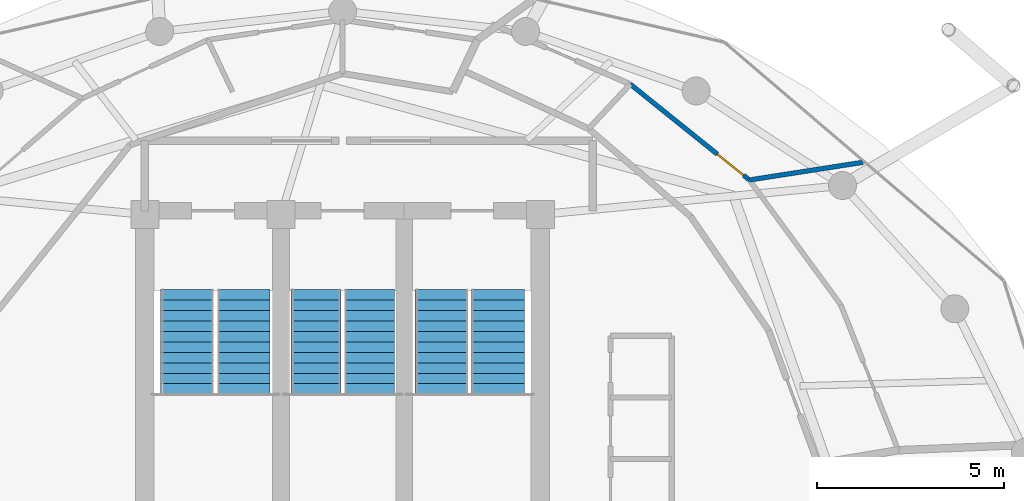
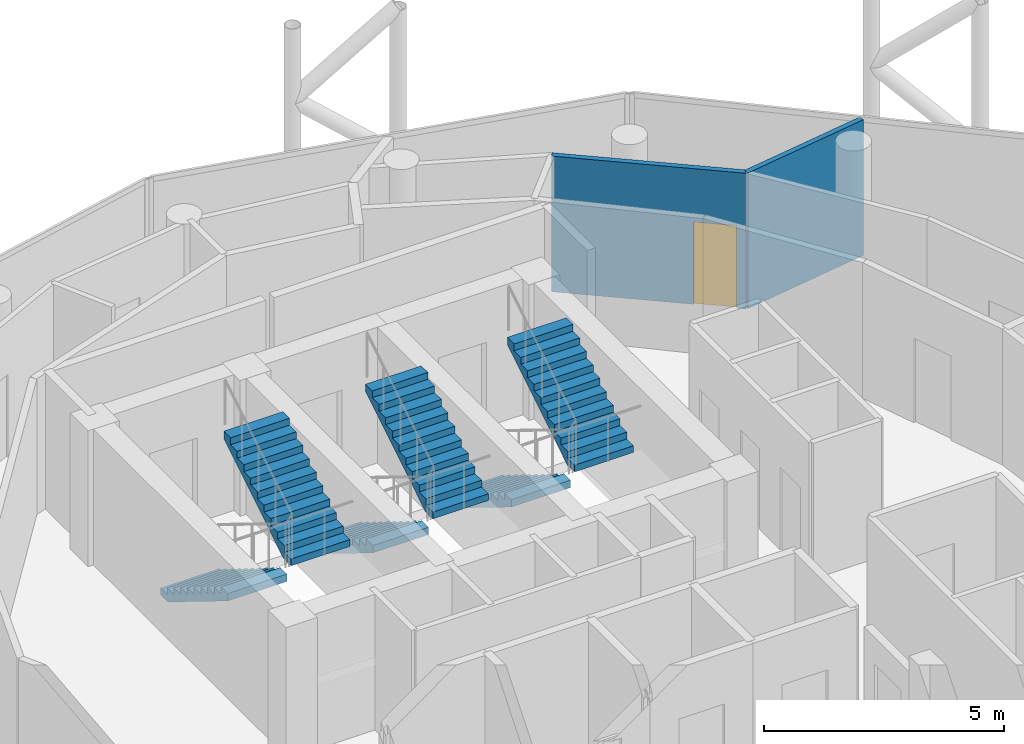
# One storey, part 23 of 24: 6 stair flights, 2 walls, 1 door, 1 opening, 3 elements without a shape of their own.
"""IFC4 building model written with IfcOpenShell, lengths in metres."""

from ifc_helpers import new_model, si_unit, direction, frame, frame_2d, origin, place, context, subcontext, project, spatial, polyline, rectangle, outline, extrude, material, layer, layer_set, type_object, element, fill, aggregate, save


model = new_model("IFC4")

# Units and contexts
model_context = context("Model", 3, precision=1e-05, world=origin(), true_north=direction((0.0, 1.0)))
body_context = subcontext(model_context, "Body", "Model", "MODEL_VIEW")
ifc_project = project(units=[si_unit("LENGTHUNIT", "METRE"), si_unit("AREAUNIT", "SQUARE_METRE"), si_unit("VOLUMEUNIT", "CUBIC_METRE"), si_unit("PLANEANGLEUNIT", "RADIAN"), si_unit("MASSUNIT", "GRAM", prefix="KILO")], contexts=[model_context])

# Site, building, storey
site_placement = place(None, origin())
site = spatial("IfcSite", under=ifc_project, at=site_placement, CompositionType="ELEMENT")
building_placement = place(site_placement, origin())
building = spatial("IfcBuilding", under=site, at=building_placement, Name="Nuhasar Tower", CompositionType="ELEMENT")
storey_placement = place(building_placement, frame((0.0, 0.0, 297.39990234375)))
storey = spatial("IfcBuildingStorey", under=building, at=storey_placement, Name="L74", CompositionType="ELEMENT", Elevation=297.39990234375)

# Wall, opening, door
ifc_material_1 = material(Name="Gypsum Board", Category="gypsum")
ifc_layer = layer(ifc_material_1, 0.125)
ifc_layer_set = layer_set([ifc_layer], Name="Gypsum Board")
wall_type = type_object("IfcWallType", Name="WL-PART-125", PredefinedType="PARTITIONING", material=ifc_layer_set)
wall_1_placement = place(storey_placement, frame((46.7099609375, 40.794921875, 0.0), z_axis=(0.0, 0.0, 1.0), x_axis=(0.779367114883, -0.62656755441, 0.0)))
wall_1 = element("IfcWall", 1, at=wall_1_placement, inside=storey, type_object=wall_type, Name="L74 Interior Partition UMID-04-A-06", PredefinedType="PARTITIONING", context=body_context, shape_type="SweptSolid", body=[
    extrude(rectangle(XDim=4.098388671875, YDim=0.125, at=frame_2d((2.04931640625, 0.0))), origin(), (0.0, 0.0, 1.0), 3.4501953125),
])
opening_placement = place(wall_1_placement, frame((2.998046875, 0.0, 0.0)))
opening = element("IfcOpeningElement", 2, at=opening_placement, cuts=wall_1, Name="Opening DR-01", PredefinedType="OPENING", context=body_context, shape_type="SweptSolid", body=[
    extrude(rectangle(XDim=0.89990234375, YDim=2.10009765625, at=frame_2d((0.449951171875, 1.050048828125))), frame((0.0, 0.072509765625, 0.0), z_axis=(0.0, -1.0, 0.0), x_axis=(1.0, 0.0, 0.0)), (0.0, 0.0, 1.0), 0.14501953125),
])
ifc_material_2 = material(Name="Timber Oak", Category="wood")
door_type = type_object("IfcDoorType", Name="DR-ROOM-900", OperationType="NOTDEFINED", PredefinedType="DOOR", material=ifc_material_2)
door_placement = place(opening_placement, origin())
door = element("IfcDoor", 3, at=door_placement, inside=storey, type_object=door_type, Name="L74 U04 Bedroom Door", OperationType="SINGLE_SWING_RIGHT", OverallHeight=2.10009765625, OverallWidth=0.89990234375, PredefinedType="DOOR", context=body_context, shape_type="SweptSolid", body=[
    extrude(rectangle(XDim=0.89990234375, YDim=2.10009765625, at=frame_2d((0.449951171875, 1.050048828125))), frame((0.0, 0.02490234375, 0.0), z_axis=(0.0, -1.0, 0.0), x_axis=(1.0, 0.0, 0.0)), (0.0, 0.0, 1.0), 0.050048828125),
])
fill(opening, door)

# Wall
wall_2_placement = place(storey_placement, frame((49.904052734375, 38.22705078125, 0.0), z_axis=(0.0, 0.0, 1.0), x_axis=(0.988120477063, 0.153681237659, 0.0)))
element("IfcWall", 4, at=wall_2_placement, inside=storey, type_object=wall_type, Name="L74 Interior Partition UOUT-04-B1", PredefinedType="PARTITIONING", context=body_context, shape_type="SweptSolid", body=[
    extrude(rectangle(XDim=3.08349609375, YDim=0.125, at=frame_2d((1.541748046875, 0.0))), origin(), (0.0, 0.0, 1.0), 3.4501953125),
])

# Stair, stair flights
ifc_material_3 = material(Name="Concrete C45/55", Category="concrete")
stair_type_1 = type_object("IfcStairType", Name="STR-ST-01-2F-22R-1727", PredefinedType="HALF_TURN_STAIR", material=ifc_material_3)
stair_1_placement = place(storey_placement, origin())
stair_1 = element("IfcStair", 5, at=stair_1_placement, inside=storey, type_object=stair_type_1, Name="L74 Exit Stair ST-01", PredefinedType="HALF_TURN_STAIR")
stair_flight_type_1 = type_object("IfcStairFlightType", Name="SFL-ST-01-11R-1727", PredefinedType="STRAIGHT", material=ifc_material_3)
stair_flight_1_placement = place(storey_placement, frame((34.830078125, 35.284912109375, 0.0), z_axis=(0.0, 0.0, 1.0), x_axis=(0.0, -1.0, 0.0)))
stair_flight_1 = element("IfcStairFlight", 6, at=stair_flight_1_placement, type_object=stair_flight_type_1, Name="ST-01 flight 1", NumberOfRisers=11, NumberOfTreads=10, PredefinedType="STRAIGHT", RiserHeight=0.172727, TreadLength=0.28, context=body_context, shape_type="SweptSolid", body=[
    extrude(outline(polyline([(0.0, 0.0), (0.0, 0.172607421875), (0.280029296875, 0.172607421875), (0.280029296875, 0.345458984375), (0.56005859375, 0.345458984375), (0.56005859375, 0.51806640625), (0.840087890625, 0.51806640625), (0.840087890625, 0.69091796875), (1.1201171875, 0.69091796875), (1.1201171875, 0.863525390625), (1.39990234375, 0.863525390625), (1.39990234375, 1.036376953125), (1.679931640625, 1.036376953125), (1.679931640625, 1.208984375), (1.9599609375, 1.208984375), (1.9599609375, 1.3818359375), (2.239990234375, 1.3818359375), (2.239990234375, 1.554443359375), (2.52001953125, 1.554443359375), (2.52001953125, 1.727294921875), (2.800048828125, 1.727294921875), (2.800048828125, 1.89990234375), (2.800048828125, 1.539306640625), (0.3046875, 0.0), (0.0, 0.0)])), frame((0.0, 0.7099609375, 0.0), z_axis=(0.0, -1.0, 0.0), x_axis=(1.0, 0.0, 0.0)), (0.0, 0.0, 1.0), 1.419921875),
])
stair_flight_2_placement = place(storey_placement, frame((36.35009765625, 32.485107421875, 1.900146484375), z_axis=(0.0, 0.0, 1.0), x_axis=(0.0, 1.0, 0.0)))
stair_flight_2 = element("IfcStairFlight", 7, at=stair_flight_2_placement, type_object=stair_flight_type_1, Name="ST-01 flight 2", NumberOfRisers=11, NumberOfTreads=10, PredefinedType="STRAIGHT", RiserHeight=0.172727, TreadLength=0.28, context=body_context, shape_type="SweptSolid", body=[
    extrude(outline(polyline([(0.0, 0.0), (0.0, 0.172607421875), (0.280029296875, 0.172607421875), (0.280029296875, 0.345458984375), (0.56005859375, 0.345458984375), (0.56005859375, 0.51806640625), (0.840087890625, 0.51806640625), (0.840087890625, 0.69091796875), (1.1201171875, 0.69091796875), (1.1201171875, 0.863525390625), (1.39990234375, 0.863525390625), (1.39990234375, 1.036376953125), (1.679931640625, 1.036376953125), (1.679931640625, 1.208984375), (1.9599609375, 1.208984375), (1.9599609375, 1.3818359375), (2.239990234375, 1.3818359375), (2.239990234375, 1.554443359375), (2.52001953125, 1.554443359375), (2.52001953125, 1.727294921875), (2.800048828125, 1.727294921875), (2.800048828125, 1.89990234375), (2.800048828125, 1.539306640625), (0.3046875, 0.0), (0.0, 0.0)])), frame((0.0, 0.7099609375, 0.0), z_axis=(0.0, -1.0, 0.0), x_axis=(1.0, 0.0, 0.0)), (0.0, 0.0, 1.0), 1.419921875),
])
aggregate(stair_1, [stair_flight_1, stair_flight_2])

stair_type_2 = type_object("IfcStairType", Name="STR-ST-02-2F-22R-1727", PredefinedType="HALF_TURN_STAIR", material=ifc_material_3)
stair_2_placement = place(storey_placement, origin())
stair_2 = element("IfcStair", 8, at=stair_2_placement, inside=storey, type_object=stair_type_2, Name="L74 Exit Stair ST-02", PredefinedType="HALF_TURN_STAIR")
stair_flight_type_2 = type_object("IfcStairFlightType", Name="SFL-ST-02-11R-1727", PredefinedType="STRAIGHT", material=ifc_material_3)
stair_flight_3_placement = place(storey_placement, frame((41.64990234375, 35.284912109375, 0.0), z_axis=(0.0, 0.0, 1.0), x_axis=(0.0, -1.0, 0.0)))
stair_flight_3 = element("IfcStairFlight", 9, at=stair_flight_3_placement, type_object=stair_flight_type_2, Name="ST-02 flight 1", NumberOfRisers=11, NumberOfTreads=10, PredefinedType="STRAIGHT", RiserHeight=0.172727, TreadLength=0.28, context=body_context, shape_type="SweptSolid", body=[
    extrude(outline(polyline([(0.0, 0.0), (0.0, 0.172607421875), (0.280029296875, 0.172607421875), (0.280029296875, 0.345458984375), (0.56005859375, 0.345458984375), (0.56005859375, 0.51806640625), (0.840087890625, 0.51806640625), (0.840087890625, 0.69091796875), (1.1201171875, 0.69091796875), (1.1201171875, 0.863525390625), (1.39990234375, 0.863525390625), (1.39990234375, 1.036376953125), (1.679931640625, 1.036376953125), (1.679931640625, 1.208984375), (1.9599609375, 1.208984375), (1.9599609375, 1.3818359375), (2.239990234375, 1.3818359375), (2.239990234375, 1.554443359375), (2.52001953125, 1.554443359375), (2.52001953125, 1.727294921875), (2.800048828125, 1.727294921875), (2.800048828125, 1.89990234375), (2.800048828125, 1.539306640625), (0.3046875, 0.0), (0.0, 0.0)])), frame((0.0, 0.7099609375, 0.0), z_axis=(0.0, -1.0, 0.0), x_axis=(1.0, 0.0, 0.0)), (0.0, 0.0, 1.0), 1.419921875),
])
stair_flight_4_placement = place(storey_placement, frame((43.169921875, 32.485107421875, 1.900146484375), z_axis=(0.0, 0.0, 1.0), x_axis=(0.0, 1.0, 0.0)))
stair_flight_4 = element("IfcStairFlight", 10, at=stair_flight_4_placement, type_object=stair_flight_type_2, Name="ST-02 flight 2", NumberOfRisers=11, NumberOfTreads=10, PredefinedType="STRAIGHT", RiserHeight=0.172727, TreadLength=0.28, context=body_context, shape_type="SweptSolid", body=[
    extrude(outline(polyline([(0.0, 0.0), (0.0, 0.172607421875), (0.280029296875, 0.172607421875), (0.280029296875, 0.345458984375), (0.56005859375, 0.345458984375), (0.56005859375, 0.51806640625), (0.840087890625, 0.51806640625), (0.840087890625, 0.69091796875), (1.1201171875, 0.69091796875), (1.1201171875, 0.863525390625), (1.39990234375, 0.863525390625), (1.39990234375, 1.036376953125), (1.679931640625, 1.036376953125), (1.679931640625, 1.208984375), (1.9599609375, 1.208984375), (1.9599609375, 1.3818359375), (2.239990234375, 1.3818359375), (2.239990234375, 1.554443359375), (2.52001953125, 1.554443359375), (2.52001953125, 1.727294921875), (2.800048828125, 1.727294921875), (2.800048828125, 1.89990234375), (2.800048828125, 1.539306640625), (0.3046875, 0.0), (0.0, 0.0)])), frame((0.0, 0.7099609375, 0.0), z_axis=(0.0, -1.0, 0.0), x_axis=(1.0, 0.0, 0.0)), (0.0, 0.0, 1.0), 1.419921875),
])
aggregate(stair_2, [stair_flight_3, stair_flight_4])

stair_type_3 = type_object("IfcStairType", Name="STR-ST-03-2F-22R-1727", PredefinedType="HALF_TURN_STAIR", material=ifc_material_3)
stair_3_placement = place(storey_placement, origin())
stair_3 = element("IfcStair", 11, at=stair_3_placement, inside=storey, type_object=stair_type_3, Name="L74 Exit Stair ST-03", PredefinedType="HALF_TURN_STAIR")
stair_flight_type_3 = type_object("IfcStairFlightType", Name="SFL-ST-03-11R-1727", PredefinedType="STRAIGHT", material=ifc_material_3)
stair_flight_5_placement = place(storey_placement, frame((38.280029296875, 35.284912109375, 0.0), z_axis=(0.0, 0.0, 1.0), x_axis=(0.0, -1.0, 0.0)))
stair_flight_5 = element("IfcStairFlight", 12, at=stair_flight_5_placement, type_object=stair_flight_type_3, Name="ST-03 flight 1", NumberOfRisers=11, NumberOfTreads=10, PredefinedType="STRAIGHT", RiserHeight=0.172727, TreadLength=0.28, context=body_context, shape_type="SweptSolid", body=[
    extrude(outline(polyline([(0.0, 0.0), (0.0, 0.172607421875), (0.280029296875, 0.172607421875), (0.280029296875, 0.345458984375), (0.56005859375, 0.345458984375), (0.56005859375, 0.51806640625), (0.840087890625, 0.51806640625), (0.840087890625, 0.69091796875), (1.1201171875, 0.69091796875), (1.1201171875, 0.863525390625), (1.39990234375, 0.863525390625), (1.39990234375, 1.036376953125), (1.679931640625, 1.036376953125), (1.679931640625, 1.208984375), (1.9599609375, 1.208984375), (1.9599609375, 1.3818359375), (2.239990234375, 1.3818359375), (2.239990234375, 1.554443359375), (2.52001953125, 1.554443359375), (2.52001953125, 1.727294921875), (2.800048828125, 1.727294921875), (2.800048828125, 1.89990234375), (2.800048828125, 1.539306640625), (0.3046875, 0.0), (0.0, 0.0)])), frame((0.0, 0.669921875, 0.0), z_axis=(0.0, -1.0, 0.0), x_axis=(1.0, 0.0, 0.0)), (0.0, 0.0, 1.0), 1.340087890625),
])
stair_flight_6_placement = place(storey_placement, frame((39.719970703125, 32.485107421875, 1.900146484375), z_axis=(0.0, 0.0, 1.0), x_axis=(0.0, 1.0, 0.0)))
stair_flight_6 = element("IfcStairFlight", 13, at=stair_flight_6_placement, type_object=stair_flight_type_3, Name="ST-03 flight 2", NumberOfRisers=11, NumberOfTreads=10, PredefinedType="STRAIGHT", RiserHeight=0.172727, TreadLength=0.28, context=body_context, shape_type="SweptSolid", body=[
    extrude(outline(polyline([(0.0, 0.0), (0.0, 0.172607421875), (0.280029296875, 0.172607421875), (0.280029296875, 0.345458984375), (0.56005859375, 0.345458984375), (0.56005859375, 0.51806640625), (0.840087890625, 0.51806640625), (0.840087890625, 0.69091796875), (1.1201171875, 0.69091796875), (1.1201171875, 0.863525390625), (1.39990234375, 0.863525390625), (1.39990234375, 1.036376953125), (1.679931640625, 1.036376953125), (1.679931640625, 1.208984375), (1.9599609375, 1.208984375), (1.9599609375, 1.3818359375), (2.239990234375, 1.3818359375), (2.239990234375, 1.554443359375), (2.52001953125, 1.554443359375), (2.52001953125, 1.727294921875), (2.800048828125, 1.727294921875), (2.800048828125, 1.89990234375), (2.800048828125, 1.539306640625), (0.3046875, 0.0), (0.0, 0.0)])), frame((0.0, 0.669921875, 0.0), z_axis=(0.0, -1.0, 0.0), x_axis=(1.0, 0.0, 0.0)), (0.0, 0.0, 1.0), 1.340087890625),
])
aggregate(stair_3, [stair_flight_5, stair_flight_6])

save(model, "model.ifc")
